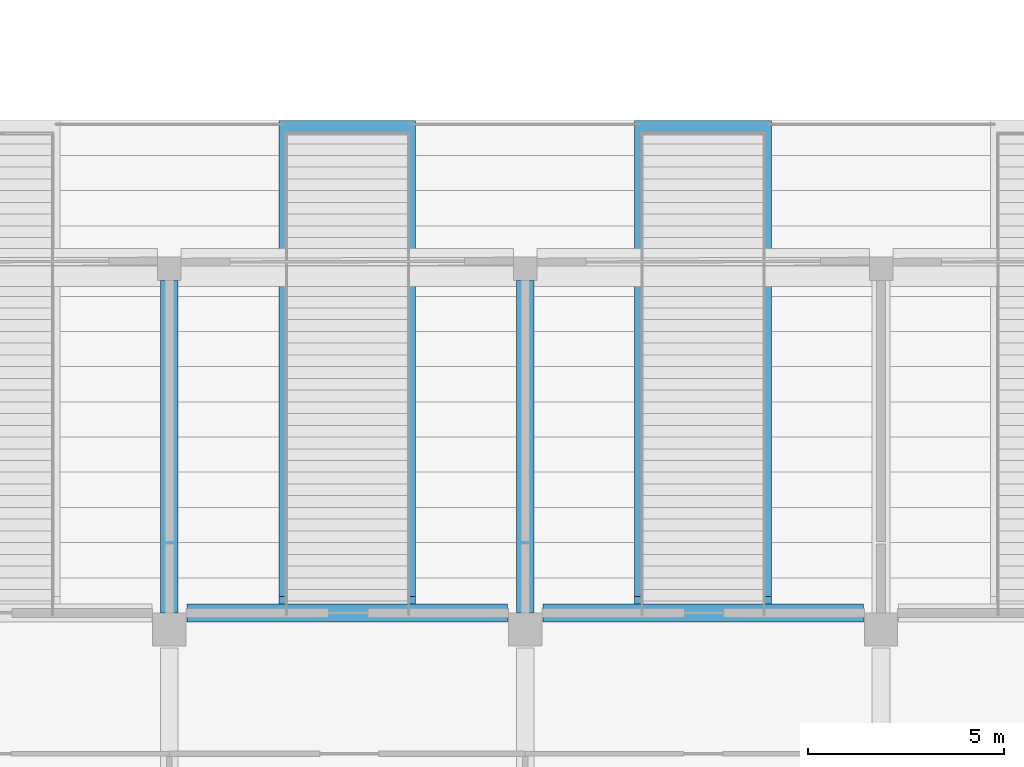
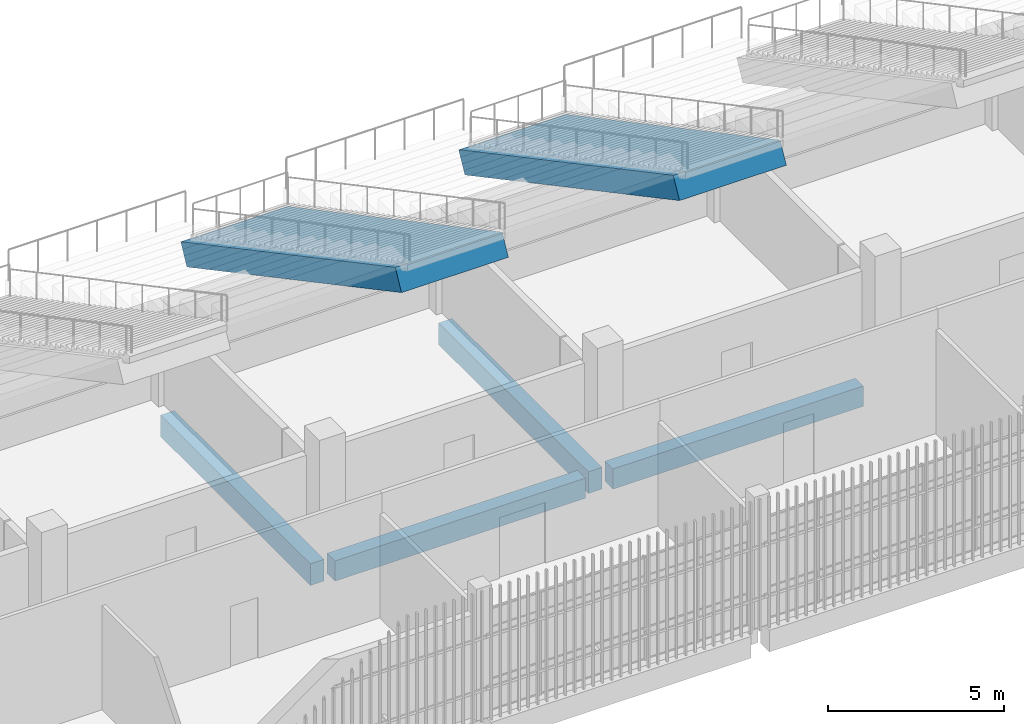
# One storey, part 24 of 139: 6 beams.
"""IFC4 building model written with IfcOpenShell, lengths in metres."""

from ifc_helpers import new_model, si_unit, direction, frame, origin, origin_2d, place, context, subcontext, project, spatial, rectangle, extrude, material, material_profile, profile_set, type_object, element, save


model = new_model("IFC4")

# Units and contexts
model_context = context("Model", 3, precision=1e-05, world=origin(), true_north=direction((0.0, 1.0)))
body_context = subcontext(model_context, "Body", "Model", "MODEL_VIEW")
ifc_project = project(units=[si_unit("LENGTHUNIT", "METRE"), si_unit("AREAUNIT", "SQUARE_METRE"), si_unit("VOLUMEUNIT", "CUBIC_METRE"), si_unit("PLANEANGLEUNIT", "RADIAN"), si_unit("MASSUNIT", "GRAM", prefix="KILO")], contexts=[model_context])

# Site, building, storey
site_placement = place(None, origin())
site = spatial("IfcSite", under=ifc_project, at=site_placement, CompositionType="ELEMENT")
building_placement = place(site_placement, origin())
building = spatial("IfcBuilding", under=site, at=building_placement, Name="Shirokan Park Arena", CompositionType="ELEMENT")
storey_placement = place(building_placement, frame((0.0, 0.0, 15.469970703125)))
storey = spatial("IfcBuildingStorey", under=building, at=storey_placement, Name="L03", CompositionType="ELEMENT", Elevation=15.469970703125)

# Beams
ifc_material = material(Name="Concrete C35", Category="concrete")
ifc_material_profile_1 = material_profile(ifc_material, rectangle(XDim=0.449951171875, YDim=0.699951171875, at=origin_2d()), Name="450x700")
ifc_profile_set_1 = profile_set([ifc_material_profile_1], Name="Concrete C35")
beam_type_1 = type_object("IfcBeamType", Name="RC girder 450x700", PredefinedType="BEAM", material=ifc_profile_set_1)
beam_1_placement = place(storey_placement, frame((64.150146484375, 9.10009765625, -0.64990234375), z_axis=(1.0, 0.0, 0.0), x_axis=(0.0, 1.0, 0.0)))
element("IfcBeam", 1, at=beam_1_placement, inside=storey, type_object=beam_type_1, Name="Girder 8B-9B L03", PredefinedType="BEAM", context=body_context, shape_type="SweptSolid", body=[
    extrude(rectangle(XDim=0.449951171875, YDim=0.699951171875, at=origin_2d()), origin(), (0.0, 0.0, 1.0), 8.19970703125),
])
beam_2_placement = place(storey_placement, frame((73.25, 9.10009765625, -0.64990234375), z_axis=(1.0, 0.0, 0.0), x_axis=(0.0, 1.0, 0.0)))
element("IfcBeam", 2, at=beam_2_placement, inside=storey, type_object=beam_type_1, Name="Girder 9B-10B L03", PredefinedType="BEAM", context=body_context, shape_type="SweptSolid", body=[
    extrude(rectangle(XDim=0.449951171875, YDim=0.699951171875, at=origin_2d()), origin(), (0.0, 0.0, 1.0), 8.199951171875),
])
ifc_material_profile_2 = material_profile(ifc_material, rectangle(XDim=0.449951171875, YDim=0.75, at=origin_2d()), Name="450x750")
ifc_profile_set_2 = profile_set([ifc_material_profile_2], Name="Concrete C35")
beam_type_2 = type_object("IfcBeamType", Name="RC girder 450x750", PredefinedType="BEAM", material=ifc_profile_set_2)
for number, where, z_axis, x_axis, name in (
    (3, (63.699951171875, 9.10009765625, -0.675048828125), (0.0, 1.0, 0.0), (-1.0, 0.0, 0.0), "Girder 8B-8C L03"),
    (4, (72.800048828125, 9.10009765625, -0.675048828125), (0.0, 1.0, 0.0), (-1.0, 0.0, 0.0), "Girder 9B-9C L03"),
):
    element("IfcBeam", number, at=place(storey_placement, frame(where, z_axis=z_axis, x_axis=x_axis)), inside=storey, type_object=beam_type_2, Name=name, PredefinedType="BEAM", context=body_context, shape_type="SweptSolid", body=[
        extrude(rectangle(XDim=0.449951171875, YDim=0.75, at=origin_2d()), origin(), (0.0, 0.0, 1.0), 8.499755859375),
    ])
ifc_material_profile_3 = material_profile(ifc_material, rectangle(XDim=3.5, YDim=0.75, at=origin_2d()), Name="3500x750")
ifc_profile_set_3 = profile_set([ifc_material_profile_3], Name="Concrete C35")
beam_type_3 = type_object("IfcBeamType", Name="RC raker 3500x750", PredefinedType="USERDEFINED", material=ifc_profile_set_3)
for number, where, z_axis, x_axis, name in (
    (5, (68.25, 21.5234375, 1.822509765625), (0.0, -0.882353431028, 0.470587316821), (1.0, 0.0, 0.0), "Raker upper S 3"),
    (6, (77.35009765625, 21.5234375, 1.822509765625), (0.0, -0.882353431028, 0.470587316821), (1.0, 0.0, 0.0), "Raker upper S 4"),
):
    element("IfcBeam", number, at=place(storey_placement, frame(where, z_axis=z_axis, x_axis=x_axis)), inside=storey, type_object=beam_type_3, Name=name, ObjectType="RAKER BEAM", PredefinedType="USERDEFINED", context=body_context, shape_type="SweptSolid", body=[
        extrude(rectangle(XDim=3.5, YDim=0.75, at=origin_2d()), origin(), (0.0, 0.0, 1.0), 13.79638671875),
    ])

save(model, "model.ifc")
